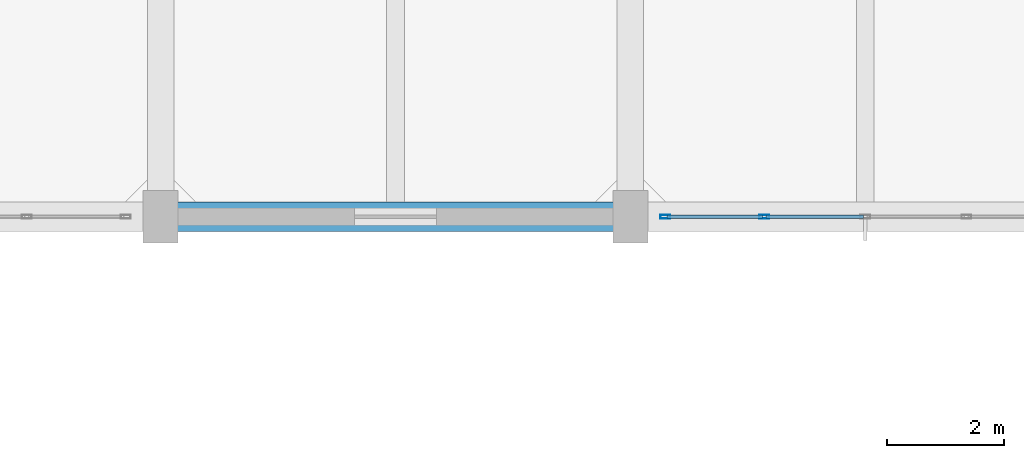
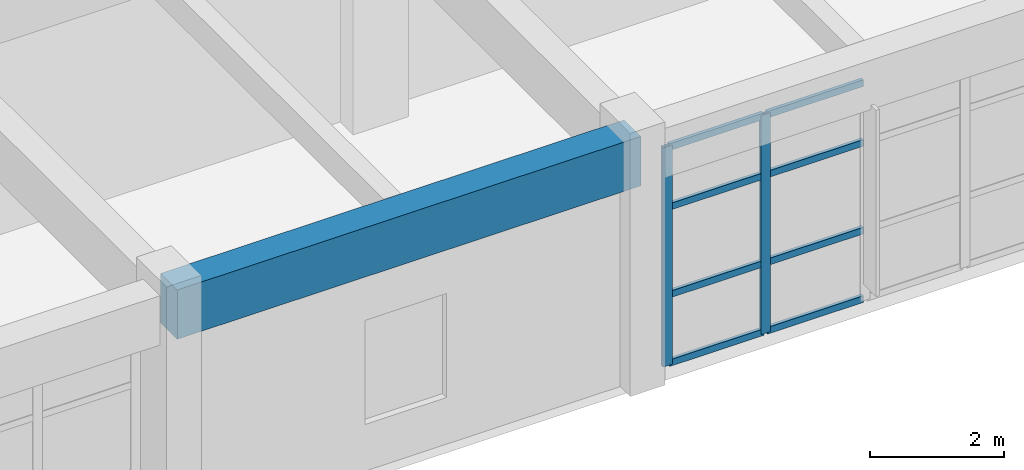
# One storey, part 184 of 248: 10 members, 1 beam, 1 element without a shape of its own.
"""IFC4 building model written with IfcOpenShell, lengths in metres."""

from ifc_helpers import new_model, si_unit, direction, frame, origin, origin_2d, place, context, subcontext, project, spatial, rectangle, hollow_rectangle, extrude, material, layer, layer_set, material_profile, profile_set, type_object, element, aggregate, save


model = new_model("IFC4")

# Units and contexts
model_context = context("Model", 3, precision=1e-05, world=origin(), true_north=direction((0.0, 1.0)))
body_context = subcontext(model_context, "Body", "Model", "MODEL_VIEW")
ifc_project = project(units=[si_unit("LENGTHUNIT", "METRE"), si_unit("AREAUNIT", "SQUARE_METRE"), si_unit("VOLUMEUNIT", "CUBIC_METRE"), si_unit("PLANEANGLEUNIT", "RADIAN"), si_unit("MASSUNIT", "GRAM", prefix="KILO")], contexts=[model_context])

# Site, building, storey
site_placement = place(None, origin())
site = spatial("IfcSite", under=ifc_project, at=site_placement, CompositionType="ELEMENT")
building_placement = place(site_placement, origin())
building = spatial("IfcBuilding", under=site, at=building_placement, Name="Canggui Botanical Conservatory", CompositionType="ELEMENT")
storey_placement = place(building_placement, frame((0.0, 0.0, 5.39990234375)))
storey = spatial("IfcBuildingStorey", under=building, at=storey_placement, Name="L02", CompositionType="ELEMENT", Elevation=5.39990234375)

# Beam
ifc_material_1 = material(Name="Concrete C35", Category="concrete")
ifc_material_profile_1 = material_profile(ifc_material_1, rectangle(XDim=0.5, YDim=0.89990234375, at=origin_2d()), Name="RB 500x900")
ifc_profile_set_1 = profile_set([ifc_material_profile_1], Name="Concrete C35")
beam_type = type_object("IfcBeamType", Name="BM-KL03", PredefinedType="BEAM", material=ifc_profile_set_1)
beam_placement = place(storey_placement, frame((138.0, 26.0, 4.070068359375), z_axis=(1.0, 0.0, 0.0), x_axis=(0.0, 1.0, 0.0)))
element("IfcBeam", 1, at=beam_placement, inside=storey, type_object=beam_type, Name="Frame Girder L02 Y26-2", PredefinedType="BEAM", context=body_context, shape_type="SweptSolid", body=[
    extrude(rectangle(XDim=0.5, YDim=0.89990234375, at=origin_2d()), origin(), (0.0, 0.0, 1.0), 8.0),
])

# Curtain wall, members
ifc_material_2 = material(Name="Thermally Broken Aluminium", Category="aluminium")
ifc_layer = layer(ifc_material_2, 0.1650390625, Name="Thermally Broken Aluminium", Category="aluminium")
ifc_layer_set = layer_set([ifc_layer], Name="Thermally Broken Aluminium")
curtain_wall_type = type_object("IfcCurtainWallType", Name="CW-UNIT-B", PredefinedType="USERDEFINED", material=ifc_layer_set)
curtain_wall_placement = place(storey_placement, origin())
curtain_wall = element("IfcCurtainWall", 2, at=curtain_wall_placement, inside=storey, type_object=curtain_wall_type, Name="Facade Curtain Wall CW-TWR-L02-04", ObjectType="UNITISED CURTAIN WALL", PredefinedType="USERDEFINED")
ifc_material_profile_2 = material_profile(ifc_material_2, hollow_rectangle(XDim=0.06494140625, YDim=0.1650390625, WallThickness=0.00390625, at=origin_2d()), Name="CWM 65x165x4")
ifc_profile_set_2 = profile_set([ifc_material_profile_2], Name="Thermally Broken Aluminium")
member_type_1 = type_object("IfcMemberType", Name="CWM-02", PredefinedType="MULLION", material=ifc_profile_set_2)
member_1_placement = place(storey_placement, frame((148.280029296875, 26.0, 0.0), z_axis=(0.0, 0.0, 1.0), x_axis=(0.0, -1.0, 0.0)))
member_1 = element("IfcMember", 3, at=member_1_placement, type_object=member_type_1, Name="CW-02 mullion 4", PredefinedType="MULLION", context=body_context, shape_type="SweptSolid", body=[
    extrude(hollow_rectangle(XDim=0.06494140625, YDim=0.1650390625, WallThickness=0.00390625, at=origin_2d()), origin(), (0.0, 0.0, 1.0), 4.0),
])
member_2_placement = place(storey_placement, frame((146.592529296875, 26.0, 0.0), z_axis=(0.0, 0.0, 1.0), x_axis=(0.0, -1.0, 0.0)))
member_2 = element("IfcMember", 4, at=member_2_placement, type_object=member_type_1, Name="CW-02 mullion 5", PredefinedType="MULLION", context=body_context, shape_type="SweptSolid", body=[
    extrude(hollow_rectangle(XDim=0.06494140625, YDim=0.1650390625, WallThickness=0.00390625, at=origin_2d()), origin(), (0.0, 0.0, 1.0), 4.0),
])
ifc_material_profile_3 = material_profile(ifc_material_2, hollow_rectangle(XDim=0.06005859375, YDim=0.1201171875, WallThickness=0.00341796875, at=origin_2d()), Name="CWT 60x120x3.5")
ifc_profile_set_3 = profile_set([ifc_material_profile_3], Name="Thermally Broken Aluminium")
member_type_2 = type_object("IfcMemberType", Name="CWT-02", PredefinedType="USERDEFINED", material=ifc_profile_set_3)
member_3_placement = place(storey_placement, frame((149.967529296875, 26.0, 0.030029296875), z_axis=(-1.0, 0.0, 0.0), x_axis=(0.0, -1.0, 0.0)))
member_3 = element("IfcMember", 5, at=member_3_placement, type_object=member_type_2, Name="CW-02 transom 3.1", ObjectType="TRANSOM", PredefinedType="USERDEFINED", context=body_context, shape_type="SweptSolid", body=[
    extrude(hollow_rectangle(XDim=0.06005859375, YDim=0.1201171875, WallThickness=0.00341796875, at=origin_2d()), origin(), (0.0, 0.0, 1.0), 1.655029296875),
])
member_4_placement = place(storey_placement, frame((149.967529296875, 26.0, 1.280029296875), z_axis=(-1.0, 0.0, 0.0), x_axis=(0.0, -1.0, 0.0)))
member_4 = element("IfcMember", 6, at=member_4_placement, type_object=member_type_2, Name="CW-02 transom 3.2", ObjectType="TRANSOM", PredefinedType="USERDEFINED", context=body_context, shape_type="SweptSolid", body=[
    extrude(hollow_rectangle(XDim=0.06005859375, YDim=0.1201171875, WallThickness=0.00341796875, at=origin_2d()), origin(), (0.0, 0.0, 1.0), 1.655029296875),
])
member_5_placement = place(storey_placement, frame((149.967529296875, 26.0, 2.880126953125), z_axis=(-1.0, 0.0, 0.0), x_axis=(0.0, -1.0, 0.0)))
member_5 = element("IfcMember", 7, at=member_5_placement, type_object=member_type_2, Name="CW-02 transom 3.3", ObjectType="TRANSOM", PredefinedType="USERDEFINED", context=body_context, shape_type="SweptSolid", body=[
    extrude(hollow_rectangle(XDim=0.06005859375, YDim=0.1201171875, WallThickness=0.00341796875, at=origin_2d()), origin(), (0.0, 0.0, 1.0), 1.655029296875),
])
member_6_placement = place(storey_placement, frame((149.967529296875, 26.0, 3.97021484375), z_axis=(-1.0, 0.0, 0.0), x_axis=(0.0, -1.0, 0.0)))
member_6 = element("IfcMember", 8, at=member_6_placement, type_object=member_type_2, Name="CW-02 transom 3.4", ObjectType="TRANSOM", PredefinedType="USERDEFINED", context=body_context, shape_type="SweptSolid", body=[
    extrude(hollow_rectangle(XDim=0.06005859375, YDim=0.1201171875, WallThickness=0.00341796875, at=origin_2d()), origin(), (0.0, 0.0, 1.0), 1.655029296875),
])
member_7_placement = place(storey_placement, frame((148.24755859375, 26.0, 0.030029296875), z_axis=(-1.0, 0.0, 0.0), x_axis=(0.0, -1.0, 0.0)))
member_7 = element("IfcMember", 9, at=member_7_placement, type_object=member_type_2, Name="CW-02 transom 4.1", ObjectType="TRANSOM", PredefinedType="USERDEFINED", context=body_context, shape_type="SweptSolid", body=[
    extrude(hollow_rectangle(XDim=0.06005859375, YDim=0.1201171875, WallThickness=0.00341796875, at=origin_2d()), origin(), (0.0, 0.0, 1.0), 1.62255859375),
])
member_8_placement = place(storey_placement, frame((148.24755859375, 26.0, 1.280029296875), z_axis=(-1.0, 0.0, 0.0), x_axis=(0.0, -1.0, 0.0)))
member_8 = element("IfcMember", 10, at=member_8_placement, type_object=member_type_2, Name="CW-02 transom 4.2", ObjectType="TRANSOM", PredefinedType="USERDEFINED", context=body_context, shape_type="SweptSolid", body=[
    extrude(hollow_rectangle(XDim=0.06005859375, YDim=0.1201171875, WallThickness=0.00341796875, at=origin_2d()), origin(), (0.0, 0.0, 1.0), 1.62255859375),
])
member_9_placement = place(storey_placement, frame((148.24755859375, 26.0, 2.880126953125), z_axis=(-1.0, 0.0, 0.0), x_axis=(0.0, -1.0, 0.0)))
member_9 = element("IfcMember", 11, at=member_9_placement, type_object=member_type_2, Name="CW-02 transom 4.3", ObjectType="TRANSOM", PredefinedType="USERDEFINED", context=body_context, shape_type="SweptSolid", body=[
    extrude(hollow_rectangle(XDim=0.06005859375, YDim=0.1201171875, WallThickness=0.00341796875, at=origin_2d()), origin(), (0.0, 0.0, 1.0), 1.62255859375),
])
member_10_placement = place(storey_placement, frame((148.24755859375, 26.0, 3.97021484375), z_axis=(-1.0, 0.0, 0.0), x_axis=(0.0, -1.0, 0.0)))
member_10 = element("IfcMember", 12, at=member_10_placement, type_object=member_type_2, Name="CW-02 transom 4.4", ObjectType="TRANSOM", PredefinedType="USERDEFINED", context=body_context, shape_type="SweptSolid", body=[
    extrude(hollow_rectangle(XDim=0.06005859375, YDim=0.1201171875, WallThickness=0.00341796875, at=origin_2d()), origin(), (0.0, 0.0, 1.0), 1.62255859375),
])
aggregate(curtain_wall, [member_1, member_2, member_3, member_4, member_5, member_6, member_7, member_8, member_9, member_10])

save(model, "model.ifc")
